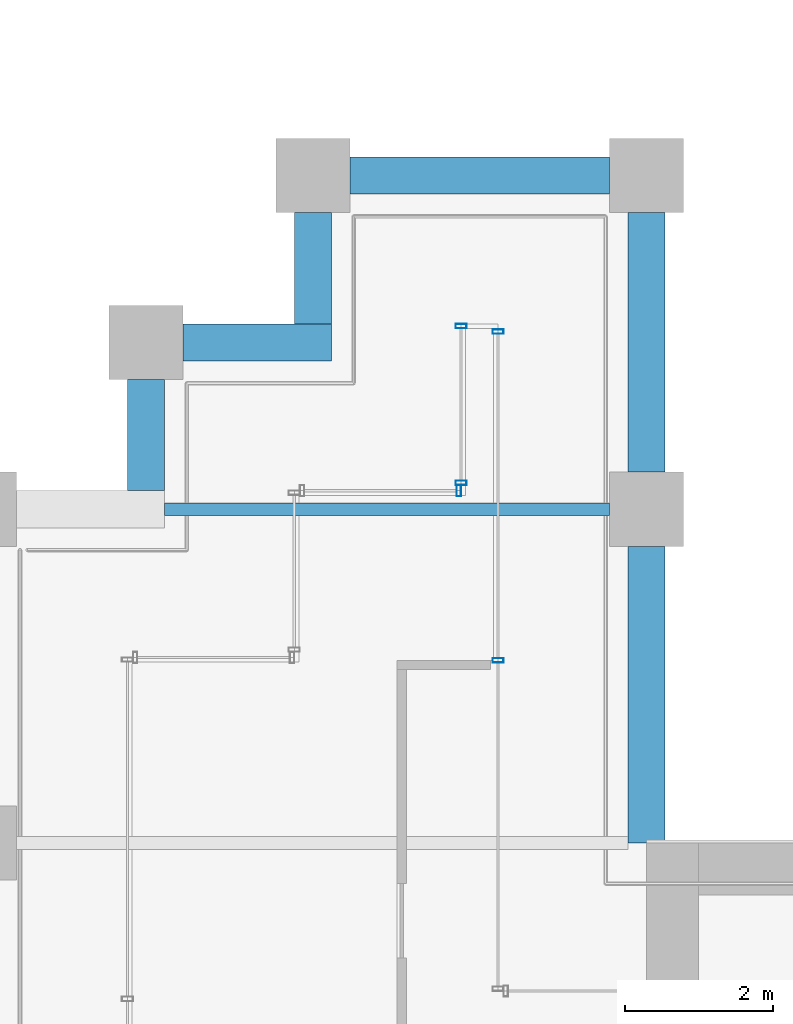
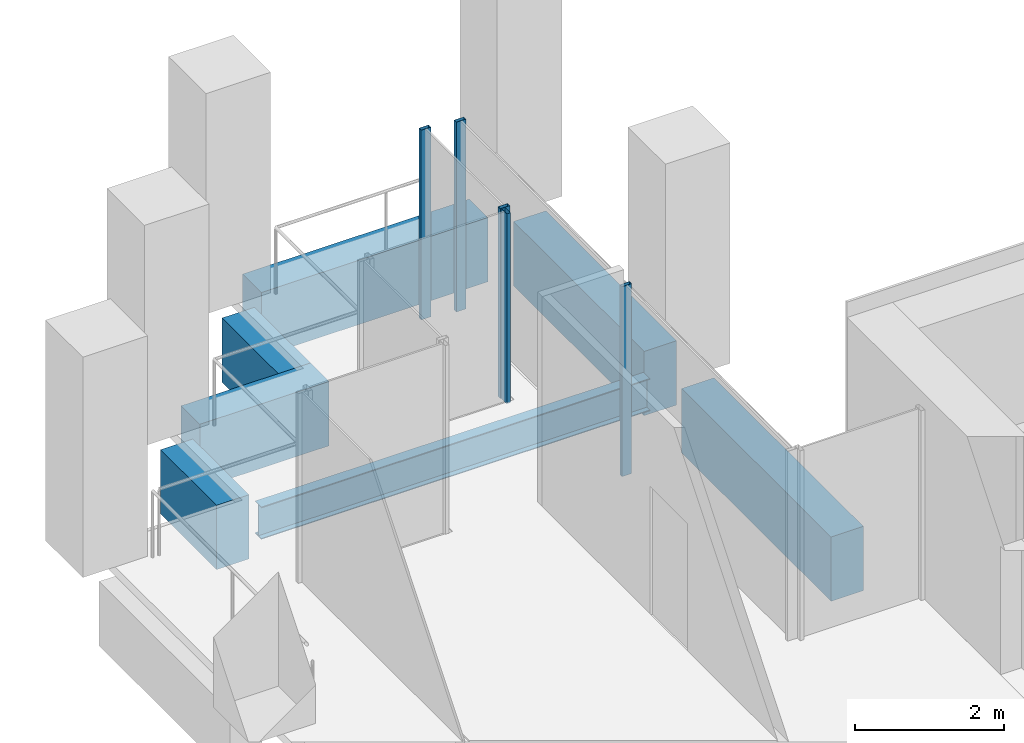
# One storey, part 35 of 46: 7 beams, 5 members, 3 elements without a shape of their own.
"""IFC4 building model written with IfcOpenShell, lengths in metres."""

from ifc_helpers import new_model, si_unit, direction, frame, origin, origin_2d, place, context, subcontext, project, spatial, rectangle, hollow_rectangle, i_section, extrude, material, material_profile, profile_set, type_object, element, aggregate, save


model = new_model("IFC4")

# Units and contexts
model_context = context("Model", 3, precision=1e-05, world=origin(), true_north=direction((0.0, 1.0)))
body_context = subcontext(model_context, "Body", "Model", "MODEL_VIEW")
ifc_project = project(units=[si_unit("LENGTHUNIT", "METRE"), si_unit("AREAUNIT", "SQUARE_METRE"), si_unit("VOLUMEUNIT", "CUBIC_METRE"), si_unit("PLANEANGLEUNIT", "RADIAN"), si_unit("MASSUNIT", "GRAM", prefix="KILO")], contexts=[model_context])

# Site, building, storey
site_placement = place(None, origin())
site = spatial("IfcSite", under=ifc_project, at=site_placement, CompositionType="ELEMENT")
building_placement = place(site_placement, origin())
building = spatial("IfcBuilding", under=site, at=building_placement, Name="Altepetl Exchange Towers", CompositionType="ELEMENT")
storey_placement = place(building_placement, frame((0.0, 0.0, 120.800048828125)))
storey = spatial("IfcBuildingStorey", under=building, at=storey_placement, Name="L29", CompositionType="ELEMENT", Elevation=120.800048828125)

# Beam
ifc_material_1 = material(Name="Steel S355", Category="steel")
ifc_material_profile_1 = material_profile(ifc_material_1, i_section(OverallWidth=0.166015625, OverallDepth=0.529052734375, WebThickness=0.009765625, FlangeThickness=0.013671875, at=origin_2d()), Name="W21X50")
ifc_profile_set_1 = profile_set([ifc_material_profile_1], Name="Steel S355")
beam_type_1 = type_object("IfcBeamType", Name="Floor beam W21X50", PredefinedType="BEAM", material=ifc_profile_set_1)
beam_1_placement = place(storey_placement, frame((97.0, 54.0, -0.41455078125), z_axis=(1.0, 0.0, 0.0), x_axis=(0.0, 1.0, 0.0)))
element("IfcBeam", 1, at=beam_1_placement, inside=storey, type_object=beam_type_1, Name="bm:B:L29:011", PredefinedType="BEAM", context=body_context, shape_type="SweptSolid", body=[
    extrude(i_section(OverallWidth=0.166015625, OverallDepth=0.529052734375, WebThickness=0.009765625, FlangeThickness=0.013671875, at=origin_2d()), origin(), (0.0, 0.0, 1.0), 6.0),
])

# Curtain wall, members
ifc_material_2 = material(Name="Aluminium 6063-T6 glazing", Category="aluminium")
curtain_wall_type = type_object("IfcCurtainWallType", Name="Loggia glazing system", PredefinedType="NOTDEFINED", material=ifc_material_2)
curtain_wall_1_placement = place(storey_placement, origin())
curtain_wall_1 = element("IfcCurtainWall", 2, at=curtain_wall_1_placement, inside=storey, type_object=curtain_wall_type, Name="CW1 run", PredefinedType="NOTDEFINED")
ifc_material_3 = material(Name="Aluminium 6063-T6", Category="aluminium")
ifc_material_profile_2 = material_profile(ifc_material_3, hollow_rectangle(XDim=0.06005859375, YDim=0.14990234375, WallThickness=0.0029296875, at=origin_2d()), Name="Mullion 60x150 aluminium")
ifc_profile_set_2 = profile_set([ifc_material_profile_2], Name="Aluminium 6063-T6")
member_type = type_object("IfcMemberType", Name="Mullion 60x150 aluminium", PredefinedType="MULLION", material=ifc_profile_set_2)
member_1_placement = place(storey_placement, frame((101.5, 51.96240234375, 0.0), z_axis=(0.0, 0.0, 1.0), x_axis=(0.0, 1.0, 0.0)))
member_1 = element("IfcMember", 3, at=member_1_placement, type_object=member_type, Name="MU1 mullion", PredefinedType="MULLION", context=body_context, shape_type="SweptSolid", body=[
    extrude(hollow_rectangle(XDim=0.06005859375, YDim=0.14990234375, WallThickness=0.0029296875, at=origin_2d()), origin(), (0.0, 0.0, 1.0), 3.099853515625),
])
member_2_placement = place(storey_placement, frame((101.5, 56.39501953125, 0.0), z_axis=(0.0, 0.0, 1.0), x_axis=(0.0, 1.0, 0.0)))
member_2 = element("IfcMember", 4, at=member_2_placement, type_object=member_type, Name="MU1 mullion", PredefinedType="MULLION", context=body_context, shape_type="SweptSolid", body=[
    extrude(hollow_rectangle(XDim=0.06005859375, YDim=0.14990234375, WallThickness=0.0029296875, at=origin_2d()), origin(), (0.0, 0.0, 1.0), 3.099853515625),
])
aggregate(curtain_wall_1, [member_1, member_2])

curtain_wall_2_placement = place(storey_placement, origin())
curtain_wall_2 = element("IfcCurtainWall", 5, at=curtain_wall_2_placement, inside=storey, type_object=curtain_wall_type, Name="CW1 run", PredefinedType="NOTDEFINED")
member_3_placement = place(storey_placement, frame((101.0, 56.469970703125, 0.0), z_axis=(0.0, 0.0, 1.0), x_axis=(0.0, -1.0, 0.0)))
member_3 = element("IfcMember", 6, at=member_3_placement, type_object=member_type, Name="MU1 mullion", PredefinedType="MULLION", context=body_context, shape_type="SweptSolid", body=[
    extrude(hollow_rectangle(XDim=0.06005859375, YDim=0.14990234375, WallThickness=0.0029296875, at=origin_2d()), origin(), (0.0, 0.0, 1.0), 3.099853515625),
])
member_4_placement = place(storey_placement, frame((101.0, 54.35498046875, 0.0), z_axis=(0.0, 0.0, 1.0), x_axis=(0.0, -1.0, 0.0)))
member_4 = element("IfcMember", 7, at=member_4_placement, type_object=member_type, Name="MU1 mullion", PredefinedType="MULLION", context=body_context, shape_type="SweptSolid", body=[
    extrude(hollow_rectangle(XDim=0.06005859375, YDim=0.14990234375, WallThickness=0.0029296875, at=origin_2d()), origin(), (0.0, 0.0, 1.0), 3.099853515625),
])
aggregate(curtain_wall_2, [member_3, member_4])

# Curtain wall, member
curtain_wall_3_placement = place(storey_placement, origin())
curtain_wall_3 = element("IfcCurtainWall", 8, at=curtain_wall_3_placement, inside=storey, type_object=curtain_wall_type, Name="CW1 run", PredefinedType="NOTDEFINED")
member_5_placement = place(storey_placement, frame((100.969970703125, 54.25, 0.0), z_axis=(0.0, 0.0, 1.0), x_axis=(-1.0, 0.0, 0.0)))
member_5 = element("IfcMember", 9, at=member_5_placement, type_object=member_type, Name="MU1 mullion", PredefinedType="MULLION", context=body_context, shape_type="SweptSolid", body=[
    extrude(hollow_rectangle(XDim=0.06005859375, YDim=0.14990234375, WallThickness=0.0029296875, at=origin_2d()), origin(), (0.0, 0.0, 1.0), 3.099853515625),
])
aggregate(curtain_wall_3, [member_5])

# Beams
ifc_material_4 = material(Name="Concrete C50/60 precast with cantera rosa facing", Category="concrete")
ifc_material_profile_3 = material_profile(ifc_material_4, rectangle(XDim=0.5, YDim=1.050048828125, at=origin_2d()), Name="500 x 1050")
ifc_profile_set_3 = profile_set([ifc_material_profile_3], Name="Concrete C50/60 precast with cantera rosa facing")
beam_type_2 = type_object("IfcBeamType", Name="Spandrel beam 500x1050 cantera rosa", PredefinedType="SPANDREL", material=ifc_profile_set_3)
beam_2_placement = place(storey_placement, frame((103.5, 49.5, -0.675048828125), z_axis=(0.0, 1.0, 0.0), x_axis=(-1.0, 0.0, 0.0)))
element("IfcBeam", 10, at=beam_2_placement, inside=storey, type_object=beam_type_2, Name="sp:B:L29:015", PredefinedType="SPANDREL", context=body_context, shape_type="SweptSolid", body=[
    extrude(rectangle(XDim=0.5, YDim=1.050048828125, at=origin_2d()), origin(), (0.0, 0.0, 1.0), 4.0),
])
for number, where, z_axis, x_axis, name in (
    (11, (103.5, 54.5, -0.675048828125), (0.0, 1.0, 0.0), (-1.0, 0.0, 0.0), "sp:B:L29:016"),
    (12, (103.0, 58.5, -0.675048828125), (-1.0, 0.0, 0.0), (0.0, -1.0, 0.0), "sp:B:L29:017"),
):
    element("IfcBeam", number, at=place(storey_placement, frame(where, z_axis=z_axis, x_axis=x_axis)), inside=storey, type_object=beam_type_2, Name=name, PredefinedType="SPANDREL", context=body_context, shape_type="SweptSolid", body=[
        extrude(rectangle(XDim=0.5, YDim=1.050048828125, at=origin_2d()), origin(), (0.0, 0.0, 1.0), 3.5),
    ])
beam_3_placement = place(storey_placement, frame((99.0, 58.0, -0.675048828125), z_axis=(0.0, -1.0, 0.0), x_axis=(1.0, 0.0, 0.0)))
element("IfcBeam", 13, at=beam_3_placement, inside=storey, type_object=beam_type_2, Name="sp:B:L29:018", PredefinedType="SPANDREL", context=body_context, shape_type="SweptSolid", body=[
    extrude(rectangle(XDim=0.5, YDim=1.050048828125, at=origin_2d()), origin(), (0.0, 0.0, 1.0), 1.5),
])
beam_4_placement = place(storey_placement, frame((99.25, 56.25, -0.675048828125), z_axis=(-1.0, 0.0, 0.0), x_axis=(0.0, -1.0, 0.0)))
element("IfcBeam", 14, at=beam_4_placement, inside=storey, type_object=beam_type_2, Name="sp:B:L29:019", PredefinedType="SPANDREL", context=body_context, shape_type="SweptSolid", body=[
    extrude(rectangle(XDim=0.5, YDim=1.050048828125, at=origin_2d()), origin(), (0.0, 0.0, 1.0), 2.0),
])
beam_5_placement = place(storey_placement, frame((96.75, 55.75, -0.675048828125), z_axis=(0.0, -1.0, 0.0), x_axis=(1.0, 0.0, 0.0)))
element("IfcBeam", 15, at=beam_5_placement, inside=storey, type_object=beam_type_2, Name="sp:B:L29:020", PredefinedType="SPANDREL", context=body_context, shape_type="SweptSolid", body=[
    extrude(rectangle(XDim=0.5, YDim=1.050048828125, at=origin_2d()), origin(), (0.0, 0.0, 1.0), 1.5),
])

save(model, "model.ifc")
